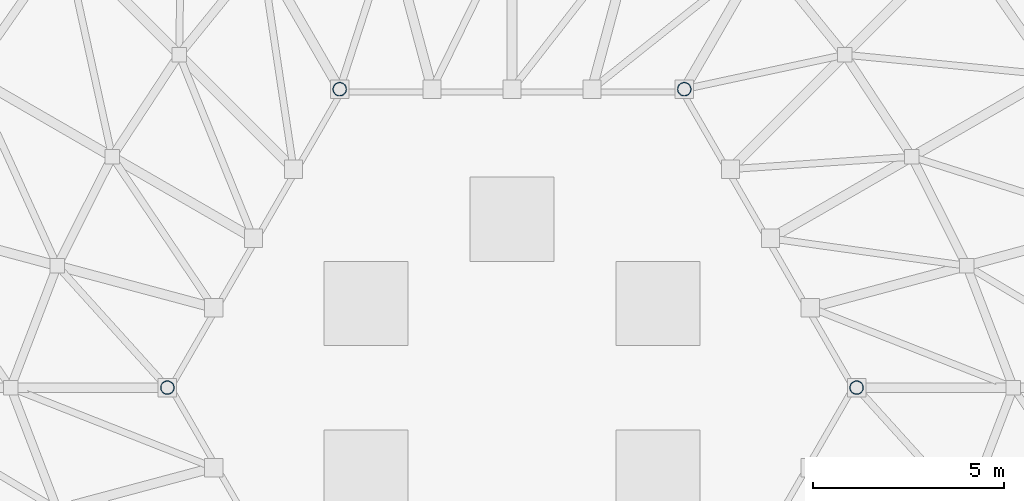
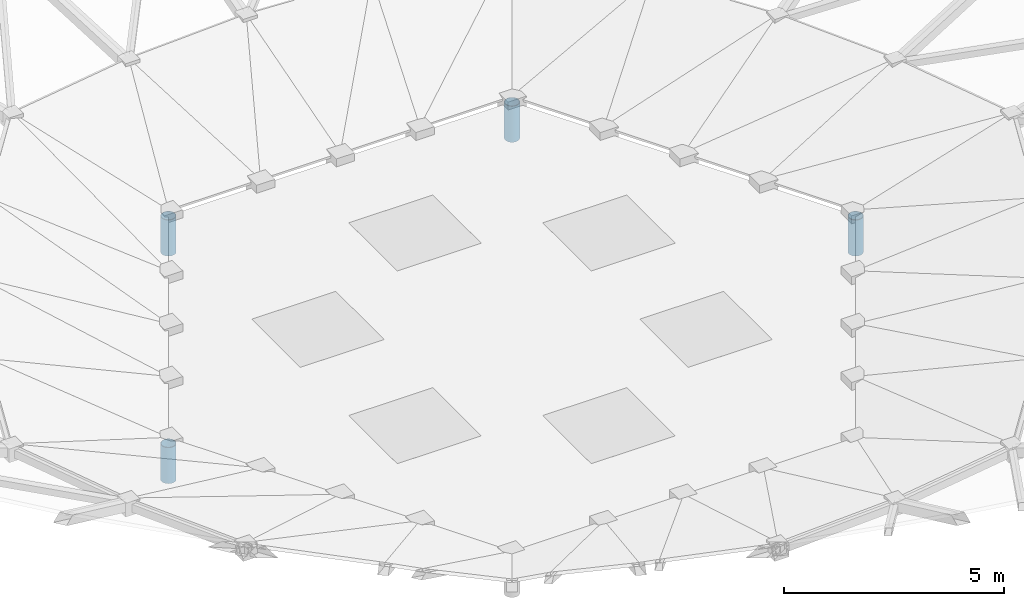
# One storey, part 5 of 116: 4 columns.
"""IFC4 building model written with IfcOpenShell, lengths in metres."""

from ifc_helpers import new_model, si_unit, direction, frame, origin, origin_2d, place, context, subcontext, project, spatial, hollow_circle, extrude, material, material_profile, profile_set, type_object, element, save


model = new_model("IFC4")

# Units and contexts
model_context = context("Model", 3, precision=1e-05, world=origin(), true_north=direction((0.0, 1.0)))
body_context = subcontext(model_context, "Body", "Model", "MODEL_VIEW")
ifc_project = project(units=[si_unit("LENGTHUNIT", "METRE"), si_unit("AREAUNIT", "SQUARE_METRE"), si_unit("VOLUMEUNIT", "CUBIC_METRE"), si_unit("PLANEANGLEUNIT", "RADIAN"), si_unit("MASSUNIT", "GRAM", prefix="KILO")], contexts=[model_context])

# Site, building, storey
site_placement = place(None, origin())
site = spatial("IfcSite", under=ifc_project, at=site_placement, CompositionType="ELEMENT")
building_placement = place(site_placement, origin())
building = spatial("IfcBuilding", under=site, at=building_placement, Name="Almandine Court Research Institute", CompositionType="ELEMENT")
storey_placement = place(building_placement, frame((0.0, 0.0, 14.35009765625)))
storey = spatial("IfcBuildingStorey", under=building, at=storey_placement, Name="L03", CompositionType="ELEMENT", Elevation=14.35009765625)

# Columns
ifc_material = material(Name="Steel ASTM A500 Grade C", Category="steel")
ifc_material_profile = material_profile(ifc_material, hollow_circle(Radius=0.177978515625, WallThickness=0.011962890625, at=origin_2d()), Name="CHS 356x12")
ifc_profile_set = profile_set([ifc_material_profile], Name="Steel ASTM A500 Grade C")
column_type = type_object("IfcColumnType", Name="Col-C-AT1", PredefinedType="COLUMN", material=ifc_profile_set)
for number, where, z_axis, x_axis, name in (
    (1, (96.0, 56.0, 0.0), (0.0, 0.0, 1.0), (1.0, 0.0, 0.0), "L03 V2-IN Column V2-OCU-C1"),
    (2, (91.5, 63.7939453125, 0.0), (0.0, 0.0, 1.0), (1.0, 0.0, 0.0), "L03 V2-IN Column V2-OCU-C2"),
    (3, (82.5, 63.7939453125, 0.0), (0.0, 0.0, 1.0), (1.0, 0.0, 0.0), "L03 V2-IN Column V2-OCU-C3"),
    (4, (78.0, 56.0, 0.0), (0.0, 0.0, 1.0), (1.0, 0.0, 0.0), "L03 V2-IN Column V2-OCU-C4"),
):
    element("IfcColumn", number, at=place(storey_placement, frame(where, z_axis=z_axis, x_axis=x_axis)), inside=storey, type_object=column_type, Name=name, PredefinedType="COLUMN", context=body_context, shape_type="SweptSolid", body=[
        extrude(hollow_circle(Radius=0.177978515625, WallThickness=0.011962890625, at=origin_2d()), origin(), (0.0, 0.0, 1.0), 1.0),
    ])

save(model, "model.ifc")
